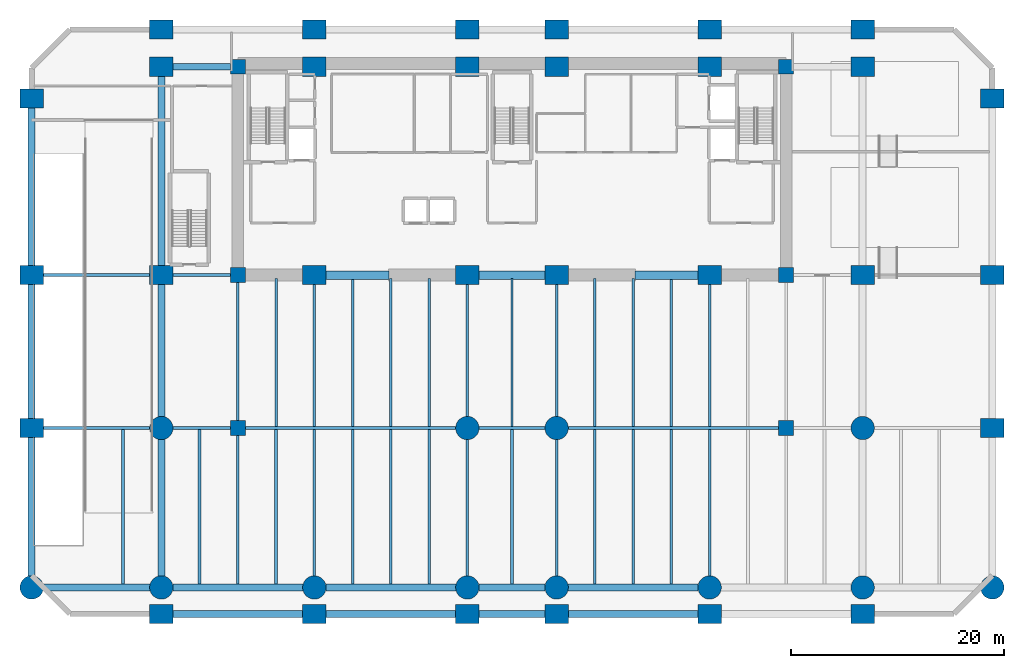
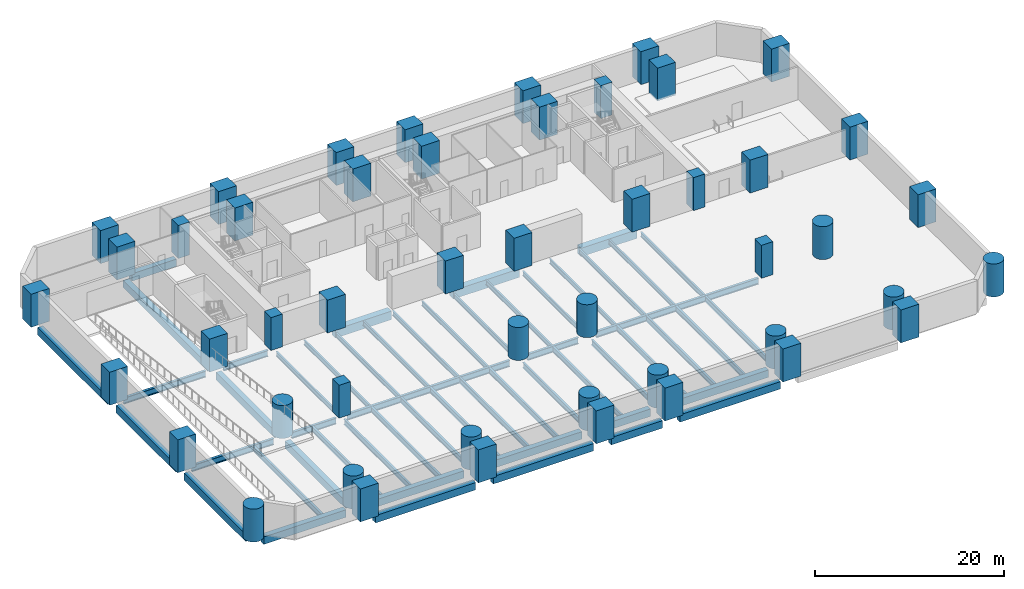
# One storey, part 1 of 9: 54 beams, 48 columns.
"""IFC4 building model written with IfcOpenShell, lengths in metres."""

from ifc_helpers import new_model, si_unit, direction, frame, origin, origin_2d, place, context, subcontext, project, spatial, rectangle, circle, i_section, extrude, material, material_profile, profile_set, type_object, element, save


model = new_model("IFC4")

# Units and contexts
model_context = context("Model", 3, precision=1e-05, world=origin(), true_north=direction((0.0, 1.0)))
body_context = subcontext(model_context, "Body", "Model", "MODEL_VIEW")
ifc_project = project(units=[si_unit("LENGTHUNIT", "METRE"), si_unit("AREAUNIT", "SQUARE_METRE"), si_unit("VOLUMEUNIT", "CUBIC_METRE"), si_unit("PLANEANGLEUNIT", "RADIAN"), si_unit("MASSUNIT", "GRAM", prefix="KILO")], contexts=[model_context])

# Site, building, storey
site_placement = place(None, origin())
site = spatial("IfcSite", under=ifc_project, at=site_placement, CompositionType="ELEMENT")
building_placement = place(site_placement, origin())
building = spatial("IfcBuilding", under=site, at=building_placement, Name="Kaelvorn Grand Hotel", CompositionType="ELEMENT")
storey_placement = place(building_placement, frame((0.0, 0.0, -4.60009765625)))
storey = spatial("IfcBuildingStorey", under=building, at=storey_placement, Name="B01", CompositionType="ELEMENT", Elevation=-4.60009765625)

# Columns
ifc_material_1 = material(Name="Concrete C80/95", Category="concrete")
ifc_material_profile_1 = material_profile(ifc_material_1, rectangle(XDim=2.199951171875, YDim=1.800048828125, at=origin_2d()), Name="PILOTIS 2200x1800")
ifc_profile_set_1 = profile_set([ifc_material_profile_1], Name="Concrete C80/95")
column_type_1 = type_object("IfcColumnType", Name="COL-PILOTIS-2200x1800", PredefinedType="USERDEFINED", material=ifc_profile_set_1)
for number, where, z_axis, x_axis, name in (
    (1, (9.0, -2.5, 0.0), (0.0, 0.0, 1.0), (1.0, 0.0, 0.0), "B01 Pilotis Mega Column PSP-02"),
    (2, (23.39990234375, -2.5, 0.0), (0.0, 0.0, 1.0), (1.0, 0.0, 0.0), "B01 Pilotis Mega Column PSP-03"),
    (3, (37.800048828125, -2.5, 0.0), (0.0, 0.0, 1.0), (1.0, 0.0, 0.0), "B01 Pilotis Mega Column PSP-04"),
    (4, (46.199951171875, -2.5, 0.0), (0.0, 0.0, 1.0), (1.0, 0.0, 0.0), "B01 Pilotis Mega Column PSP-05"),
    (5, (60.60009765625, -2.5, 0.0), (0.0, 0.0, 1.0), (1.0, 0.0, 0.0), "B01 Pilotis Mega Column PSP-06"),
    (6, (75.0, -2.5, 0.0), (0.0, 0.0, 1.0), (1.0, 0.0, 0.0), "B01 Pilotis Mega Column PSP-07"),
    (7, (-3.199951171875, 15.0, 0.0), (0.0, 0.0, 1.0), (1.0, 0.0, 0.0), "B01 Pilotis Mega Column PW-01"),
    (8, (87.199951171875, 15.0, 0.0), (0.0, 0.0, 1.0), (1.0, 0.0, 0.0), "B01 Pilotis Mega Column PE-01"),
    (9, (-3.199951171875, 29.39990234375, 0.0), (0.0, 0.0, 1.0), (1.0, 0.0, 0.0), "B01 Pilotis Mega Column PW-02"),
    (10, (87.199951171875, 29.39990234375, 0.0), (0.0, 0.0, 1.0), (1.0, 0.0, 0.0), "B01 Pilotis Mega Column PE-02"),
    (11, (-3.199951171875, 46.0, 0.0), (0.0, 0.0, 1.0), (1.0, 0.0, 0.0), "B01 Pilotis Mega Column PW-03"),
    (12, (87.199951171875, 46.0, 0.0), (0.0, 0.0, 1.0), (1.0, 0.0, 0.0), "B01 Pilotis Mega Column PE-03"),
    (13, (9.0, 29.39990234375, 0.0), (0.0, 0.0, 1.0), (1.0, 0.0, 0.0), "B01 Pilotis Mega Column PC-01"),
    (14, (9.0, 49.0, 0.0), (0.0, 0.0, 1.0), (1.0, 0.0, 0.0), "B01 Pilotis Mega Column PN-01"),
    (15, (9.0, 52.5, 0.0), (0.0, 0.0, 1.0), (1.0, 0.0, 0.0), "B01 Pilotis Mega Column PNP-01"),
    (16, (23.39990234375, 29.39990234375, 0.0), (0.0, 0.0, 1.0), (1.0, 0.0, 0.0), "B01 Pilotis Mega Column PC-02"),
    (17, (23.39990234375, 49.0, 0.0), (0.0, 0.0, 1.0), (1.0, 0.0, 0.0), "B01 Pilotis Mega Column PN-02"),
    (18, (23.39990234375, 52.5, 0.0), (0.0, 0.0, 1.0), (1.0, 0.0, 0.0), "B01 Pilotis Mega Column PNP-02"),
    (19, (37.800048828125, 29.39990234375, 0.0), (0.0, 0.0, 1.0), (1.0, 0.0, 0.0), "B01 Pilotis Mega Column PC-03"),
    (20, (37.800048828125, 49.0, 0.0), (0.0, 0.0, 1.0), (1.0, 0.0, 0.0), "B01 Pilotis Mega Column PN-03"),
    (21, (37.800048828125, 52.5, 0.0), (0.0, 0.0, 1.0), (1.0, 0.0, 0.0), "B01 Pilotis Mega Column PNP-03"),
    (22, (46.199951171875, 29.39990234375, 0.0), (0.0, 0.0, 1.0), (1.0, 0.0, 0.0), "B01 Pilotis Mega Column PC-04"),
    (23, (46.199951171875, 49.0, 0.0), (0.0, 0.0, 1.0), (1.0, 0.0, 0.0), "B01 Pilotis Mega Column PN-04"),
    (24, (46.199951171875, 52.5, 0.0), (0.0, 0.0, 1.0), (1.0, 0.0, 0.0), "B01 Pilotis Mega Column PNP-04"),
    (25, (60.60009765625, 29.39990234375, 0.0), (0.0, 0.0, 1.0), (1.0, 0.0, 0.0), "B01 Pilotis Mega Column PC-05"),
    (26, (60.60009765625, 49.0, 0.0), (0.0, 0.0, 1.0), (1.0, 0.0, 0.0), "B01 Pilotis Mega Column PN-05"),
    (27, (60.60009765625, 52.5, 0.0), (0.0, 0.0, 1.0), (1.0, 0.0, 0.0), "B01 Pilotis Mega Column PNP-05"),
    (28, (75.0, 29.39990234375, 0.0), (0.0, 0.0, 1.0), (1.0, 0.0, 0.0), "B01 Pilotis Mega Column PC-06"),
    (29, (75.0, 49.0, 0.0), (0.0, 0.0, 1.0), (1.0, 0.0, 0.0), "B01 Pilotis Mega Column PN-06"),
    (30, (75.0, 52.5, 0.0), (0.0, 0.0, 1.0), (1.0, 0.0, 0.0), "B01 Pilotis Mega Column PNP-06"),
):
    element("IfcColumn", number, at=place(storey_placement, frame(where, z_axis=z_axis, x_axis=x_axis)), inside=storey, type_object=column_type_1, Name=name, ObjectType="PILOTIS", PredefinedType="USERDEFINED", context=body_context, shape_type="SweptSolid", body=[
        extrude(rectangle(XDim=2.199951171875, YDim=1.800048828125, at=origin_2d()), origin(), (0.0, 0.0, 1.0), 4.25),
    ])
ifc_material_profile_2 = material_profile(ifc_material_1, circle(Radius=1.10009765625, at=origin_2d()), Name="PILOTIS D2200")
ifc_profile_set_2 = profile_set([ifc_material_profile_2], Name="Concrete C80/95")
column_type_2 = type_object("IfcColumnType", Name="COL-PILOTIS-D2200", PredefinedType="USERDEFINED", material=ifc_profile_set_2)
for number, where, z_axis, x_axis, name in (
    (31, (-3.199951171875, 0.0, 0.0), (0.0, 0.0, 1.0), (1.0, 0.0, 0.0), "B01 Pilotis Mega Column PS-01"),
    (32, (9.0, 0.0, 0.0), (0.0, 0.0, 1.0), (1.0, 0.0, 0.0), "B01 Pilotis Mega Column PS-02"),
    (33, (23.39990234375, 0.0, 0.0), (0.0, 0.0, 1.0), (1.0, 0.0, 0.0), "B01 Pilotis Mega Column PS-03"),
    (34, (37.800048828125, 0.0, 0.0), (0.0, 0.0, 1.0), (1.0, 0.0, 0.0), "B01 Pilotis Mega Column PS-04"),
    (35, (46.199951171875, 0.0, 0.0), (0.0, 0.0, 1.0), (1.0, 0.0, 0.0), "B01 Pilotis Mega Column PS-05"),
    (36, (60.60009765625, 0.0, 0.0), (0.0, 0.0, 1.0), (1.0, 0.0, 0.0), "B01 Pilotis Mega Column PS-06"),
    (37, (75.0, 0.0, 0.0), (0.0, 0.0, 1.0), (1.0, 0.0, 0.0), "B01 Pilotis Mega Column PS-07"),
    (38, (87.199951171875, 0.0, 0.0), (0.0, 0.0, 1.0), (1.0, 0.0, 0.0), "B01 Pilotis Mega Column PS-08"),
    (39, (9.0, 15.0, 0.0), (0.0, 0.0, 1.0), (1.0, 0.0, 0.0), "B01 Pilotis Mega Column PM-01"),
    (40, (37.800048828125, 15.0, 0.0), (0.0, 0.0, 1.0), (1.0, 0.0, 0.0), "B01 Pilotis Mega Column PM-02"),
    (41, (46.199951171875, 15.0, 0.0), (0.0, 0.0, 1.0), (1.0, 0.0, 0.0), "B01 Pilotis Mega Column PM-03"),
    (42, (75.0, 15.0, 0.0), (0.0, 0.0, 1.0), (1.0, 0.0, 0.0), "B01 Pilotis Mega Column PM-04"),
):
    element("IfcColumn", number, at=place(storey_placement, frame(where, z_axis=z_axis, x_axis=x_axis)), inside=storey, type_object=column_type_2, Name=name, ObjectType="PILOTIS", PredefinedType="USERDEFINED", context=body_context, shape_type="SweptSolid", body=[
        extrude(circle(Radius=1.10009765625, at=origin_2d()), origin(), (0.0, 0.0, 1.0), 4.25),
    ])
ifc_material_profile_3 = material_profile(ifc_material_1, rectangle(XDim=1.39990234375, YDim=1.39990234375, at=origin_2d()), Name="RC COL 1400x1400")
ifc_profile_set_3 = profile_set([ifc_material_profile_3], Name="Concrete C80/95")
column_type_3 = type_object("IfcColumnType", Name="COL-RC-1400-C80", PredefinedType="COLUMN", material=ifc_profile_set_3)
for number, where, z_axis, x_axis, name in (
    (43, (16.199951171875, 15.0, 0.0), (0.0, 0.0, 1.0), (1.0, 0.0, 0.0), "B01 Structural Column PMR-01"),
    (44, (67.800048828125, 15.0, 0.0), (0.0, 0.0, 1.0), (1.0, 0.0, 0.0), "B01 Structural Column PMR-02"),
    (45, (16.199951171875, 29.39990234375, 0.0), (0.0, 0.0, 1.0), (1.0, 0.0, 0.0), "B01 Structural Column PCR-01"),
    (46, (16.199951171875, 49.0, 0.0), (0.0, 0.0, 1.0), (1.0, 0.0, 0.0), "B01 Structural Column PNR-01"),
    (47, (67.800048828125, 29.39990234375, 0.0), (0.0, 0.0, 1.0), (1.0, 0.0, 0.0), "B01 Structural Column PCR-02"),
    (48, (67.800048828125, 49.0, 0.0), (0.0, 0.0, 1.0), (1.0, 0.0, 0.0), "B01 Structural Column PNR-02"),
):
    element("IfcColumn", number, at=place(storey_placement, frame(where, z_axis=z_axis, x_axis=x_axis)), inside=storey, type_object=column_type_3, Name=name, PredefinedType="COLUMN", context=body_context, shape_type="SweptSolid", body=[
        extrude(rectangle(XDim=1.39990234375, YDim=1.39990234375, at=origin_2d()), origin(), (0.0, 0.0, 1.0), 4.25),
    ])

# Beams
ifc_material_2 = material(Name="Steel S355", Category="steel")
ifc_material_profile_4 = material_profile(ifc_material_2, i_section(OverallWidth=0.300048828125, OverallDepth=0.800048828125, WebThickness=0.017578125, FlangeThickness=0.032958984375, FilletRadius=0.030029296875, at=origin_2d()), Name="HEB 800")
ifc_profile_set_4 = profile_set([ifc_material_profile_4], Name="Steel S355")
beam_type_1 = type_object("IfcBeamType", Name="BM-G-HEB800-S355", PredefinedType="BEAM", material=ifc_profile_set_4)
beam_1_placement = place(storey_placement, frame((-2.114990234375, 15.0, -0.699951171875), z_axis=(1.0, 0.0, 0.0), x_axis=(0.0, 1.0, 0.0)))
element("IfcBeam", 49, at=beam_1_placement, inside=storey, type_object=beam_type_1, Name="B01 Primary Spine Steel Girder G-15 01", PredefinedType="BEAM", context=body_context, shape_type="SweptSolid", body=[
    extrude(i_section(OverallWidth=0.300048828125, OverallDepth=0.800048828125, WebThickness=0.017578125, FlangeThickness=0.032958984375, FilletRadius=0.030029296875, at=origin_2d()), origin(), (0.0, 0.0, 1.0), 10.030029296875),
])
beam_2_placement = place(storey_placement, frame((10.0849609375, 15.0, -0.699951171875), z_axis=(1.0, 0.0, 0.0), x_axis=(0.0, 1.0, 0.0)))
element("IfcBeam", 50, at=beam_2_placement, inside=storey, type_object=beam_type_1, Name="B01 Primary Spine Steel Girder G-15 02", PredefinedType="BEAM", context=body_context, shape_type="SweptSolid", body=[
    extrude(i_section(OverallWidth=0.300048828125, OverallDepth=0.800048828125, WebThickness=0.017578125, FlangeThickness=0.032958984375, FilletRadius=0.030029296875, at=origin_2d()), origin(), (0.0, 0.0, 1.0), 5.429931640625),
])
beam_3_placement = place(storey_placement, frame((16.885009765625, 15.0, -0.699951171875), z_axis=(1.0, 0.0, 0.0), x_axis=(0.0, 1.0, 0.0)))
element("IfcBeam", 51, at=beam_3_placement, inside=storey, type_object=beam_type_1, Name="B01 Primary Spine Steel Girder G-15 03", PredefinedType="BEAM", context=body_context, shape_type="SweptSolid", body=[
    extrude(i_section(OverallWidth=0.300048828125, OverallDepth=0.800048828125, WebThickness=0.017578125, FlangeThickness=0.032958984375, FilletRadius=0.030029296875, at=origin_2d()), origin(), (0.0, 0.0, 1.0), 19.830078125),
])
beam_4_placement = place(storey_placement, frame((38.885009765625, 15.0, -0.699951171875), z_axis=(1.0, 0.0, 0.0), x_axis=(0.0, 1.0, 0.0)))
element("IfcBeam", 52, at=beam_4_placement, inside=storey, type_object=beam_type_1, Name="B01 Primary Spine Steel Girder G-15 04", PredefinedType="BEAM", context=body_context, shape_type="SweptSolid", body=[
    extrude(i_section(OverallWidth=0.300048828125, OverallDepth=0.800048828125, WebThickness=0.017578125, FlangeThickness=0.032958984375, FilletRadius=0.030029296875, at=origin_2d()), origin(), (0.0, 0.0, 1.0), 6.22998046875),
])
beam_5_placement = place(storey_placement, frame((47.284912109375, 15.0, -0.699951171875), z_axis=(1.0, 0.0, 0.0), x_axis=(0.0, 1.0, 0.0)))
element("IfcBeam", 53, at=beam_5_placement, inside=storey, type_object=beam_type_1, Name="B01 Primary Spine Steel Girder G-15 05", PredefinedType="BEAM", context=body_context, shape_type="SweptSolid", body=[
    extrude(i_section(OverallWidth=0.300048828125, OverallDepth=0.800048828125, WebThickness=0.017578125, FlangeThickness=0.032958984375, FilletRadius=0.030029296875, at=origin_2d()), origin(), (0.0, 0.0, 1.0), 19.830078125),
])
beam_6_placement = place(storey_placement, frame((-2.114990234375, 29.39990234375, -0.699951171875), z_axis=(1.0, 0.0, 0.0), x_axis=(0.0, 1.0, 0.0)))
element("IfcBeam", 54, at=beam_6_placement, inside=storey, type_object=beam_type_1, Name="B01 West Core Wing Steel Girder G-29W 01", PredefinedType="BEAM", context=body_context, shape_type="SweptSolid", body=[
    extrude(i_section(OverallWidth=0.300048828125, OverallDepth=0.800048828125, WebThickness=0.017578125, FlangeThickness=0.032958984375, FilletRadius=0.030029296875, at=origin_2d()), origin(), (0.0, 0.0, 1.0), 10.030029296875),
])
beam_7_placement = place(storey_placement, frame((10.0849609375, 29.39990234375, -0.699951171875), z_axis=(1.0, 0.0, 0.0), x_axis=(0.0, 1.0, 0.0)))
element("IfcBeam", 55, at=beam_7_placement, inside=storey, type_object=beam_type_1, Name="B01 West Core Wing Steel Girder G-29W 02", PredefinedType="BEAM", context=body_context, shape_type="SweptSolid", body=[
    extrude(i_section(OverallWidth=0.300048828125, OverallDepth=0.800048828125, WebThickness=0.017578125, FlangeThickness=0.032958984375, FilletRadius=0.030029296875, at=origin_2d()), origin(), (0.0, 0.0, 1.0), 5.429931640625),
])
ifc_material_profile_5 = material_profile(ifc_material_2, i_section(OverallWidth=0.219970703125, OverallDepth=0.60009765625, WebThickness=0.011962890625, FlangeThickness=0.01904296875, FilletRadius=0.02392578125, at=origin_2d()), Name="IPE 600")
ifc_profile_set_5 = profile_set([ifc_material_profile_5], Name="Steel S355")
beam_type_2 = type_object("IfcBeamType", Name="BM-J-IPE600-S355", PredefinedType="JOIST", material=ifc_profile_set_5)
beam_8_placement = place(storey_placement, frame((16.199951171875, 15.68505859375, -0.599853515625), z_axis=(0.0, 1.0, 0.0), x_axis=(-1.0, 0.0, 0.0)))
element("IfcBeam", 56, at=beam_8_placement, inside=storey, type_object=beam_type_2, Name="B01 Composite Floor Joist JM-05", PredefinedType="JOIST", context=body_context, shape_type="SweptSolid", body=[
    extrude(i_section(OverallWidth=0.219970703125, OverallDepth=0.60009765625, WebThickness=0.011962890625, FlangeThickness=0.01904296875, FilletRadius=0.02392578125, at=origin_2d()), origin(), (0.0, 0.0, 1.0), 13.030029296875),
])
beam_9_placement = place(storey_placement, frame((19.800048828125, 15.135009765625, -0.599853515625), z_axis=(0.0, 1.0, 0.0), x_axis=(-1.0, 0.0, 0.0)))
element("IfcBeam", 57, at=beam_9_placement, inside=storey, type_object=beam_type_2, Name="B01 Composite Floor Joist JM-06", PredefinedType="JOIST", context=body_context, shape_type="SweptSolid", body=[
    extrude(i_section(OverallWidth=0.219970703125, OverallDepth=0.60009765625, WebThickness=0.011962890625, FlangeThickness=0.01904296875, FilletRadius=0.02392578125, at=origin_2d()), origin(), (0.0, 0.0, 1.0), 13.925048828125),
])
beam_10_placement = place(storey_placement, frame((23.39990234375, 15.135009765625, -0.599853515625), z_axis=(0.0, 1.0, 0.0), x_axis=(-1.0, 0.0, 0.0)))
element("IfcBeam", 58, at=beam_10_placement, inside=storey, type_object=beam_type_2, Name="B01 Composite Floor Joist JM-07", PredefinedType="JOIST", context=body_context, shape_type="SweptSolid", body=[
    extrude(i_section(OverallWidth=0.219970703125, OverallDepth=0.60009765625, WebThickness=0.011962890625, FlangeThickness=0.01904296875, FilletRadius=0.02392578125, at=origin_2d()), origin(), (0.0, 0.0, 1.0), 13.3798828125),
])
for number, where, z_axis, x_axis, name in (
    (59, (27.0, 15.135009765625, -0.599853515625), (0.0, 1.0, 0.0), (-1.0, 0.0, 0.0), "B01 Composite Floor Joist JM-08"),
    (60, (30.60009765625, 15.135009765625, -0.599853515625), (0.0, 1.0, 0.0), (-1.0, 0.0, 0.0), "B01 Composite Floor Joist JM-09"),
    (61, (34.199951171875, 15.135009765625, -0.599853515625), (0.0, 1.0, 0.0), (-1.0, 0.0, 0.0), "B01 Composite Floor Joist JM-10"),
):
    element("IfcBeam", number, at=place(storey_placement, frame(where, z_axis=z_axis, x_axis=x_axis)), inside=storey, type_object=beam_type_2, Name=name, PredefinedType="JOIST", context=body_context, shape_type="SweptSolid", body=[
        extrude(i_section(OverallWidth=0.219970703125, OverallDepth=0.60009765625, WebThickness=0.011962890625, FlangeThickness=0.01904296875, FilletRadius=0.02392578125, at=origin_2d()), origin(), (0.0, 0.0, 1.0), 13.925048828125),
    ])
beam_11_placement = place(storey_placement, frame((37.800048828125, 16.0849609375, -0.599853515625), z_axis=(0.0, 1.0, 0.0), x_axis=(-1.0, 0.0, 0.0)))
element("IfcBeam", 62, at=beam_11_placement, inside=storey, type_object=beam_type_2, Name="B01 Composite Floor Joist JM-11", PredefinedType="JOIST", context=body_context, shape_type="SweptSolid", body=[
    extrude(i_section(OverallWidth=0.219970703125, OverallDepth=0.60009765625, WebThickness=0.011962890625, FlangeThickness=0.01904296875, FilletRadius=0.02392578125, at=origin_2d()), origin(), (0.0, 0.0, 1.0), 12.429931640625),
])
beam_12_placement = place(storey_placement, frame((42.0, 15.135009765625, -0.599853515625), z_axis=(0.0, 1.0, 0.0), x_axis=(-1.0, 0.0, 0.0)))
element("IfcBeam", 63, at=beam_12_placement, inside=storey, type_object=beam_type_2, Name="B01 Composite Floor Joist JM-12", PredefinedType="JOIST", context=body_context, shape_type="SweptSolid", body=[
    extrude(i_section(OverallWidth=0.219970703125, OverallDepth=0.60009765625, WebThickness=0.011962890625, FlangeThickness=0.01904296875, FilletRadius=0.02392578125, at=origin_2d()), origin(), (0.0, 0.0, 1.0), 13.925048828125),
])
beam_13_placement = place(storey_placement, frame((46.199951171875, 16.0849609375, -0.599853515625), z_axis=(0.0, 1.0, 0.0), x_axis=(-1.0, 0.0, 0.0)))
element("IfcBeam", 64, at=beam_13_placement, inside=storey, type_object=beam_type_2, Name="B01 Composite Floor Joist JM-13", PredefinedType="JOIST", context=body_context, shape_type="SweptSolid", body=[
    extrude(i_section(OverallWidth=0.219970703125, OverallDepth=0.60009765625, WebThickness=0.011962890625, FlangeThickness=0.01904296875, FilletRadius=0.02392578125, at=origin_2d()), origin(), (0.0, 0.0, 1.0), 12.429931640625),
])
for number, where, z_axis, x_axis, name in (
    (65, (49.800048828125, 15.135009765625, -0.599853515625), (0.0, 1.0, 0.0), (-1.0, 0.0, 0.0), "B01 Composite Floor Joist JM-14"),
    (66, (53.39990234375, 15.135009765625, -0.599853515625), (0.0, 1.0, 0.0), (-1.0, 0.0, 0.0), "B01 Composite Floor Joist JM-15"),
    (67, (57.0, 15.135009765625, -0.599853515625), (0.0, 1.0, 0.0), (-1.0, 0.0, 0.0), "B01 Composite Floor Joist JM-16"),
):
    element("IfcBeam", number, at=place(storey_placement, frame(where, z_axis=z_axis, x_axis=x_axis)), inside=storey, type_object=beam_type_2, Name=name, PredefinedType="JOIST", context=body_context, shape_type="SweptSolid", body=[
        extrude(i_section(OverallWidth=0.219970703125, OverallDepth=0.60009765625, WebThickness=0.011962890625, FlangeThickness=0.01904296875, FilletRadius=0.02392578125, at=origin_2d()), origin(), (0.0, 0.0, 1.0), 13.925048828125),
    ])
beam_14_placement = place(storey_placement, frame((60.60009765625, 15.135009765625, -0.599853515625), z_axis=(0.0, 1.0, 0.0), x_axis=(-1.0, 0.0, 0.0)))
element("IfcBeam", 68, at=beam_14_placement, inside=storey, type_object=beam_type_2, Name="B01 Composite Floor Joist JM-17", PredefinedType="JOIST", context=body_context, shape_type="SweptSolid", body=[
    extrude(i_section(OverallWidth=0.219970703125, OverallDepth=0.60009765625, WebThickness=0.011962890625, FlangeThickness=0.01904296875, FilletRadius=0.02392578125, at=origin_2d()), origin(), (0.0, 0.0, 1.0), 13.3798828125),
])
ifc_material_profile_6 = material_profile(ifc_material_2, i_section(OverallWidth=0.25439453125, OverallDepth=0.6875, WebThickness=0.01318359375, FlangeThickness=0.02099609375, FilletRadius=0.01513671875, at=origin_2d()), Name="UB 686x254x152")
ifc_profile_set_6 = profile_set([ifc_material_profile_6], Name="Steel S355")
beam_type_3 = type_object("IfcBeamType", Name="BM-J-UB686-S355", PredefinedType="JOIST", material=ifc_profile_set_6)
for number, where, z_axis, x_axis, name in (
    (69, (5.39990234375, 0.31005859375, -0.6435546875), (0.0, 1.0, 0.0), (-1.0, 0.0, 0.0), "B01 Composite Floor Joist JS-02"),
    (70, (12.60009765625, 0.31005859375, -0.6435546875), (0.0, 1.0, 0.0), (-1.0, 0.0, 0.0), "B01 Composite Floor Joist JS-04"),
):
    element("IfcBeam", number, at=place(storey_placement, frame(where, z_axis=z_axis, x_axis=x_axis)), inside=storey, type_object=beam_type_3, Name=name, PredefinedType="JOIST", context=body_context, shape_type="SweptSolid", body=[
        extrude(i_section(OverallWidth=0.25439453125, OverallDepth=0.6875, WebThickness=0.01318359375, FlangeThickness=0.02099609375, FilletRadius=0.01513671875, at=origin_2d()), origin(), (0.0, 0.0, 1.0), 14.554931640625),
    ])
beam_15_placement = place(storey_placement, frame((16.199951171875, 0.31005859375, -0.6435546875), z_axis=(0.0, 1.0, 0.0), x_axis=(-1.0, 0.0, 0.0)))
element("IfcBeam", 71, at=beam_15_placement, inside=storey, type_object=beam_type_3, Name="B01 Composite Floor Joist JS-05", PredefinedType="JOIST", context=body_context, shape_type="SweptSolid", body=[
    extrude(i_section(OverallWidth=0.25439453125, OverallDepth=0.6875, WebThickness=0.01318359375, FlangeThickness=0.02099609375, FilletRadius=0.01513671875, at=origin_2d()), origin(), (0.0, 0.0, 1.0), 14.0048828125),
])
beam_16_placement = place(storey_placement, frame((19.800048828125, 0.31005859375, -0.6435546875), z_axis=(0.0, 1.0, 0.0), x_axis=(-1.0, 0.0, 0.0)))
element("IfcBeam", 72, at=beam_16_placement, inside=storey, type_object=beam_type_3, Name="B01 Composite Floor Joist JS-06", PredefinedType="JOIST", context=body_context, shape_type="SweptSolid", body=[
    extrude(i_section(OverallWidth=0.25439453125, OverallDepth=0.6875, WebThickness=0.01318359375, FlangeThickness=0.02099609375, FilletRadius=0.01513671875, at=origin_2d()), origin(), (0.0, 0.0, 1.0), 14.554931640625),
])
beam_17_placement = place(storey_placement, frame((23.39990234375, 1.0849609375, -0.6435546875), z_axis=(0.0, 1.0, 0.0), x_axis=(-1.0, 0.0, 0.0)))
element("IfcBeam", 73, at=beam_17_placement, inside=storey, type_object=beam_type_3, Name="B01 Composite Floor Joist JS-07", PredefinedType="JOIST", context=body_context, shape_type="SweptSolid", body=[
    extrude(i_section(OverallWidth=0.25439453125, OverallDepth=0.6875, WebThickness=0.01318359375, FlangeThickness=0.02099609375, FilletRadius=0.01513671875, at=origin_2d()), origin(), (0.0, 0.0, 1.0), 13.780029296875),
])
for number, where, z_axis, x_axis, name in (
    (74, (27.0, 0.31005859375, -0.6435546875), (0.0, 1.0, 0.0), (-1.0, 0.0, 0.0), "B01 Composite Floor Joist JS-08"),
    (75, (30.60009765625, 0.31005859375, -0.6435546875), (0.0, 1.0, 0.0), (-1.0, 0.0, 0.0), "B01 Composite Floor Joist JS-09"),
    (76, (34.199951171875, 0.31005859375, -0.6435546875), (0.0, 1.0, 0.0), (-1.0, 0.0, 0.0), "B01 Composite Floor Joist JS-10"),
):
    element("IfcBeam", number, at=place(storey_placement, frame(where, z_axis=z_axis, x_axis=x_axis)), inside=storey, type_object=beam_type_3, Name=name, PredefinedType="JOIST", context=body_context, shape_type="SweptSolid", body=[
        extrude(i_section(OverallWidth=0.25439453125, OverallDepth=0.6875, WebThickness=0.01318359375, FlangeThickness=0.02099609375, FilletRadius=0.01513671875, at=origin_2d()), origin(), (0.0, 0.0, 1.0), 14.554931640625),
    ])
beam_18_placement = place(storey_placement, frame((37.800048828125, 1.0849609375, -0.6435546875), z_axis=(0.0, 1.0, 0.0), x_axis=(-1.0, 0.0, 0.0)))
element("IfcBeam", 77, at=beam_18_placement, inside=storey, type_object=beam_type_3, Name="B01 Composite Floor Joist JS-11", PredefinedType="JOIST", context=body_context, shape_type="SweptSolid", body=[
    extrude(i_section(OverallWidth=0.25439453125, OverallDepth=0.6875, WebThickness=0.01318359375, FlangeThickness=0.02099609375, FilletRadius=0.01513671875, at=origin_2d()), origin(), (0.0, 0.0, 1.0), 12.830078125),
])
beam_19_placement = place(storey_placement, frame((42.0, 0.31005859375, -0.6435546875), z_axis=(0.0, 1.0, 0.0), x_axis=(-1.0, 0.0, 0.0)))
element("IfcBeam", 78, at=beam_19_placement, inside=storey, type_object=beam_type_3, Name="B01 Composite Floor Joist JS-12", PredefinedType="JOIST", context=body_context, shape_type="SweptSolid", body=[
    extrude(i_section(OverallWidth=0.25439453125, OverallDepth=0.6875, WebThickness=0.01318359375, FlangeThickness=0.02099609375, FilletRadius=0.01513671875, at=origin_2d()), origin(), (0.0, 0.0, 1.0), 14.554931640625),
])
beam_20_placement = place(storey_placement, frame((46.199951171875, 1.0849609375, -0.6435546875), z_axis=(0.0, 1.0, 0.0), x_axis=(-1.0, 0.0, 0.0)))
element("IfcBeam", 79, at=beam_20_placement, inside=storey, type_object=beam_type_3, Name="B01 Composite Floor Joist JS-13", PredefinedType="JOIST", context=body_context, shape_type="SweptSolid", body=[
    extrude(i_section(OverallWidth=0.25439453125, OverallDepth=0.6875, WebThickness=0.01318359375, FlangeThickness=0.02099609375, FilletRadius=0.01513671875, at=origin_2d()), origin(), (0.0, 0.0, 1.0), 12.830078125),
])
for number, where, z_axis, x_axis, name in (
    (80, (49.800048828125, 0.31005859375, -0.6435546875), (0.0, 1.0, 0.0), (-1.0, 0.0, 0.0), "B01 Composite Floor Joist JS-14"),
    (81, (53.39990234375, 0.31005859375, -0.6435546875), (0.0, 1.0, 0.0), (-1.0, 0.0, 0.0), "B01 Composite Floor Joist JS-15"),
    (82, (57.0, 0.31005859375, -0.6435546875), (0.0, 1.0, 0.0), (-1.0, 0.0, 0.0), "B01 Composite Floor Joist JS-16"),
):
    element("IfcBeam", number, at=place(storey_placement, frame(where, z_axis=z_axis, x_axis=x_axis)), inside=storey, type_object=beam_type_3, Name=name, PredefinedType="JOIST", context=body_context, shape_type="SweptSolid", body=[
        extrude(i_section(OverallWidth=0.25439453125, OverallDepth=0.6875, WebThickness=0.01318359375, FlangeThickness=0.02099609375, FilletRadius=0.01513671875, at=origin_2d()), origin(), (0.0, 0.0, 1.0), 14.554931640625),
    ])
beam_21_placement = place(storey_placement, frame((60.60009765625, 1.0849609375, -0.6435546875), z_axis=(0.0, 1.0, 0.0), x_axis=(-1.0, 0.0, 0.0)))
element("IfcBeam", 83, at=beam_21_placement, inside=storey, type_object=beam_type_3, Name="B01 Composite Floor Joist JS-17", PredefinedType="JOIST", context=body_context, shape_type="SweptSolid", body=[
    extrude(i_section(OverallWidth=0.25439453125, OverallDepth=0.6875, WebThickness=0.01318359375, FlangeThickness=0.02099609375, FilletRadius=0.01513671875, at=origin_2d()), origin(), (0.0, 0.0, 1.0), 13.780029296875),
])
ifc_material_3 = material(Name="Concrete C60/75", Category="concrete")
ifc_material_profile_7 = material_profile(ifc_material_3, rectangle(XDim=0.800048828125, YDim=1.10009765625, at=origin_2d()), Name="RC LINTEL 800x1100")
ifc_profile_set_7 = profile_set([ifc_material_profile_7], Name="Concrete C60/75")
beam_type_4 = type_object("IfcBeamType", Name="BM-LIN-800x1100-C60", PredefinedType="LINTEL", material=ifc_profile_set_7)
beam_22_placement = place(storey_placement, frame((23.580078125, 29.39990234375, -0.849853515625), z_axis=(1.0, 0.0, 0.0), x_axis=(0.0, 1.0, 0.0)))
element("IfcBeam", 84, at=beam_22_placement, inside=storey, type_object=beam_type_4, Name="B01 Rear-Core Coupling Lintel Beam CB1-01", PredefinedType="LINTEL", context=body_context, shape_type="SweptSolid", body=[
    extrude(rectangle(XDim=0.800048828125, YDim=1.10009765625, at=origin_2d()), origin(), (0.0, 0.0, 1.0), 6.83984375),
])
beam_23_placement = place(storey_placement, frame((37.97998046875, 29.39990234375, -0.849853515625), z_axis=(1.0, 0.0, 0.0), x_axis=(0.0, 1.0, 0.0)))
element("IfcBeam", 85, at=beam_23_placement, inside=storey, type_object=beam_type_4, Name="B01 Rear-Core Coupling Lintel Beam CB1-02", PredefinedType="LINTEL", context=body_context, shape_type="SweptSolid", body=[
    extrude(rectangle(XDim=0.800048828125, YDim=1.10009765625, at=origin_2d()), origin(), (0.0, 0.0, 1.0), 8.0400390625),
])
beam_24_placement = place(storey_placement, frame((53.580078125, 29.39990234375, -0.849853515625), z_axis=(1.0, 0.0, 0.0), x_axis=(0.0, 1.0, 0.0)))
element("IfcBeam", 86, at=beam_24_placement, inside=storey, type_object=beam_type_4, Name="B01 Rear-Core Coupling Lintel Beam CB1-03", PredefinedType="LINTEL", context=body_context, shape_type="SweptSolid", body=[
    extrude(rectangle(XDim=0.800048828125, YDim=1.10009765625, at=origin_2d()), origin(), (0.0, 0.0, 1.0), 6.83984375),
])
ifc_material_profile_8 = material_profile(ifc_material_3, rectangle(XDim=0.64990234375, YDim=0.949951171875, at=origin_2d()), Name="RC SPANDREL 650x950")
ifc_profile_set_8 = profile_set([ifc_material_profile_8], Name="Concrete C60/75")
beam_type_5 = type_object("IfcBeamType", Name="BM-SP-650x950-C60", PredefinedType="SPANDREL", material=ifc_profile_set_8)
beam_25_placement = place(storey_placement, frame((-2.114990234375, 0.0, -0.77490234375), z_axis=(1.0, 0.0, 0.0), x_axis=(0.0, 1.0, 0.0)))
element("IfcBeam", 87, at=beam_25_placement, inside=storey, type_object=beam_type_5, Name="B01 South Perimeter Spandrel 01", PredefinedType="SPANDREL", context=body_context, shape_type="SweptSolid", body=[
    extrude(rectangle(XDim=0.64990234375, YDim=0.949951171875, at=origin_2d()), origin(), (0.0, 0.0, 1.0), 10.030029296875),
])
for number, where, z_axis, x_axis, name in (
    (88, (10.0849609375, 0.0, -0.77490234375), (1.0, 0.0, 0.0), (0.0, 1.0, 0.0), "B01 South Perimeter Spandrel 02"),
    (89, (24.485107421875, 0.0, -0.77490234375), (1.0, 0.0, 0.0), (0.0, 1.0, 0.0), "B01 South Perimeter Spandrel 03"),
):
    element("IfcBeam", number, at=place(storey_placement, frame(where, z_axis=z_axis, x_axis=x_axis)), inside=storey, type_object=beam_type_5, Name=name, PredefinedType="SPANDREL", context=body_context, shape_type="SweptSolid", body=[
        extrude(rectangle(XDim=0.64990234375, YDim=0.949951171875, at=origin_2d()), origin(), (0.0, 0.0, 1.0), 12.22998046875),
    ])
beam_26_placement = place(storey_placement, frame((38.885009765625, 0.0, -0.77490234375), z_axis=(1.0, 0.0, 0.0), x_axis=(0.0, 1.0, 0.0)))
element("IfcBeam", 90, at=beam_26_placement, inside=storey, type_object=beam_type_5, Name="B01 South Perimeter Spandrel 04", PredefinedType="SPANDREL", context=body_context, shape_type="SweptSolid", body=[
    extrude(rectangle(XDim=0.64990234375, YDim=0.949951171875, at=origin_2d()), origin(), (0.0, 0.0, 1.0), 6.22998046875),
])
for number, where, z_axis, x_axis, name in (
    (91, (47.284912109375, 0.0, -0.77490234375), (1.0, 0.0, 0.0), (0.0, 1.0, 0.0), "B01 South Perimeter Spandrel 05"),
    (92, (10.0849609375, -2.5, -0.77490234375), (1.0, 0.0, 0.0), (0.0, 1.0, 0.0), "B01 South Plinth Spandrel 01"),
    (93, (24.485107421875, -2.5, -0.77490234375), (1.0, 0.0, 0.0), (0.0, 1.0, 0.0), "B01 South Plinth Spandrel 02"),
):
    element("IfcBeam", number, at=place(storey_placement, frame(where, z_axis=z_axis, x_axis=x_axis)), inside=storey, type_object=beam_type_5, Name=name, PredefinedType="SPANDREL", context=body_context, shape_type="SweptSolid", body=[
        extrude(rectangle(XDim=0.64990234375, YDim=0.949951171875, at=origin_2d()), origin(), (0.0, 0.0, 1.0), 12.22998046875),
    ])
beam_27_placement = place(storey_placement, frame((38.885009765625, -2.5, -0.77490234375), z_axis=(1.0, 0.0, 0.0), x_axis=(0.0, 1.0, 0.0)))
element("IfcBeam", 94, at=beam_27_placement, inside=storey, type_object=beam_type_5, Name="B01 South Plinth Spandrel 03", PredefinedType="SPANDREL", context=body_context, shape_type="SweptSolid", body=[
    extrude(rectangle(XDim=0.64990234375, YDim=0.949951171875, at=origin_2d()), origin(), (0.0, 0.0, 1.0), 6.22998046875),
])
beam_28_placement = place(storey_placement, frame((47.284912109375, -2.5, -0.77490234375), z_axis=(1.0, 0.0, 0.0), x_axis=(0.0, 1.0, 0.0)))
element("IfcBeam", 95, at=beam_28_placement, inside=storey, type_object=beam_type_5, Name="B01 South Plinth Spandrel 04", PredefinedType="SPANDREL", context=body_context, shape_type="SweptSolid", body=[
    extrude(rectangle(XDim=0.64990234375, YDim=0.949951171875, at=origin_2d()), origin(), (0.0, 0.0, 1.0), 12.22998046875),
])
beam_29_placement = place(storey_placement, frame((10.0849609375, 49.0, -0.77490234375), z_axis=(1.0, 0.0, 0.0), x_axis=(0.0, 1.0, 0.0)))
element("IfcBeam", 96, at=beam_29_placement, inside=storey, type_object=beam_type_5, Name="B01 North-West Spandrel 01", PredefinedType="SPANDREL", context=body_context, shape_type="SweptSolid", body=[
    extrude(rectangle(XDim=0.64990234375, YDim=0.949951171875, at=origin_2d()), origin(), (0.0, 0.0, 1.0), 5.429931640625),
])
beam_30_placement = place(storey_placement, frame((-3.199951171875, 1.0849609375, -0.77490234375), z_axis=(0.0, 1.0, 0.0), x_axis=(-1.0, 0.0, 0.0)))
element("IfcBeam", 97, at=beam_30_placement, inside=storey, type_object=beam_type_5, Name="B01 W Perimeter Spandrel 01", PredefinedType="SPANDREL", context=body_context, shape_type="SweptSolid", body=[
    extrude(rectangle(XDim=0.64990234375, YDim=0.949951171875, at=origin_2d()), origin(), (0.0, 0.0, 1.0), 13.030029296875),
])
beam_31_placement = place(storey_placement, frame((-3.199951171875, 15.885009765625, -0.77490234375), z_axis=(0.0, 1.0, 0.0), x_axis=(-1.0, 0.0, 0.0)))
element("IfcBeam", 98, at=beam_31_placement, inside=storey, type_object=beam_type_5, Name="B01 W Perimeter Spandrel 02", PredefinedType="SPANDREL", context=body_context, shape_type="SweptSolid", body=[
    extrude(rectangle(XDim=0.64990234375, YDim=0.949951171875, at=origin_2d()), origin(), (0.0, 0.0, 1.0), 12.6298828125),
])
beam_32_placement = place(storey_placement, frame((-3.199951171875, 30.284912109375, -0.77490234375), z_axis=(0.0, 1.0, 0.0), x_axis=(-1.0, 0.0, 0.0)))
element("IfcBeam", 99, at=beam_32_placement, inside=storey, type_object=beam_type_5, Name="B01 W Perimeter Spandrel 03", PredefinedType="SPANDREL", context=body_context, shape_type="SweptSolid", body=[
    extrude(rectangle(XDim=0.64990234375, YDim=0.949951171875, at=origin_2d()), origin(), (0.0, 0.0, 1.0), 14.830078125),
])
beam_33_placement = place(storey_placement, frame((9.0, 1.0849609375, -0.77490234375), z_axis=(0.0, 1.0, 0.0), x_axis=(-1.0, 0.0, 0.0)))
element("IfcBeam", 100, at=beam_33_placement, inside=storey, type_object=beam_type_5, Name="B01 WI Spine Girder 01", PredefinedType="SPANDREL", context=body_context, shape_type="SweptSolid", body=[
    extrude(rectangle(XDim=0.64990234375, YDim=0.949951171875, at=origin_2d()), origin(), (0.0, 0.0, 1.0), 12.830078125),
])
beam_34_placement = place(storey_placement, frame((9.0, 16.0849609375, -0.77490234375), z_axis=(0.0, 1.0, 0.0), x_axis=(-1.0, 0.0, 0.0)))
element("IfcBeam", 101, at=beam_34_placement, inside=storey, type_object=beam_type_5, Name="B01 WI Spine Girder 02", PredefinedType="SPANDREL", context=body_context, shape_type="SweptSolid", body=[
    extrude(rectangle(XDim=0.64990234375, YDim=0.949951171875, at=origin_2d()), origin(), (0.0, 0.0, 1.0), 12.429931640625),
])
beam_35_placement = place(storey_placement, frame((9.0, 30.284912109375, -0.77490234375), z_axis=(0.0, 1.0, 0.0), x_axis=(-1.0, 0.0, 0.0)))
element("IfcBeam", 102, at=beam_35_placement, inside=storey, type_object=beam_type_5, Name="B01 WI Spine Girder 03", PredefinedType="SPANDREL", context=body_context, shape_type="SweptSolid", body=[
    extrude(rectangle(XDim=0.64990234375, YDim=0.949951171875, at=origin_2d()), origin(), (0.0, 0.0, 1.0), 17.830078125),
])

save(model, "model.ifc")
